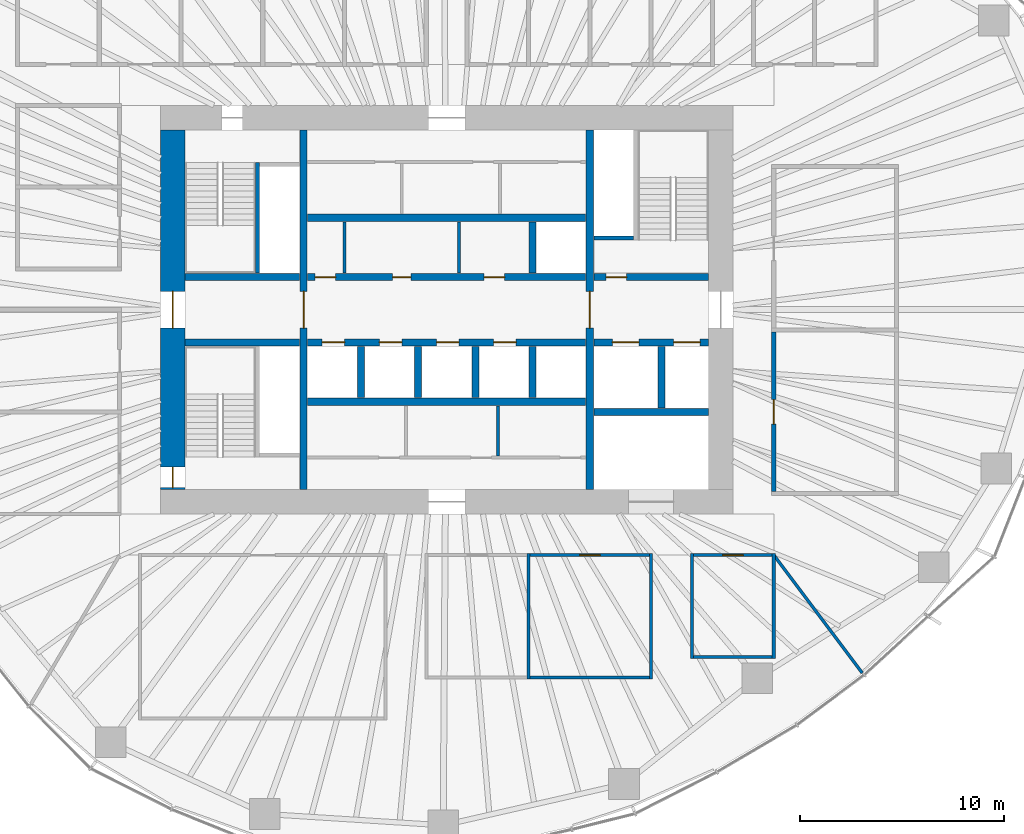
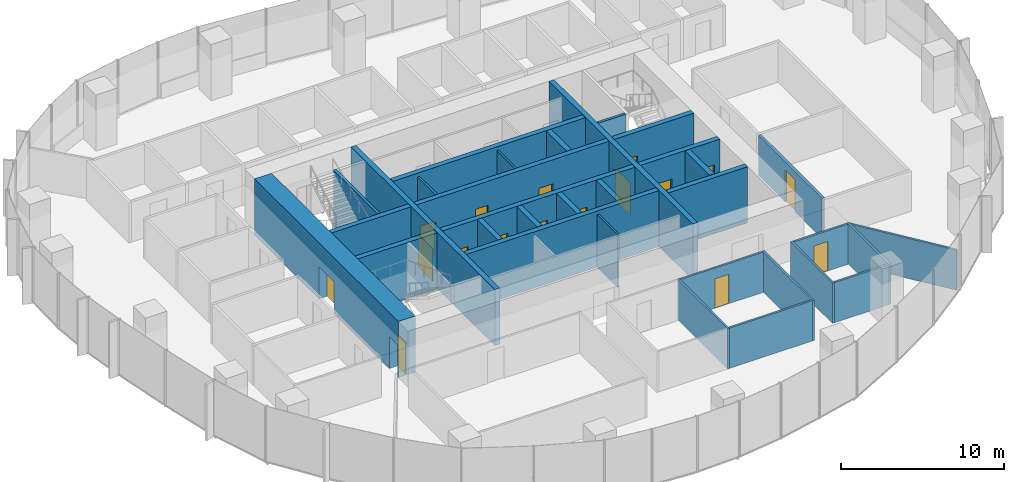
# One storey, part 9 of 18: 33 walls, 17 doors, 17 openings.
"""IFC4 building model written with IfcOpenShell, lengths in metres."""

from ifc_helpers import new_model, si_unit, direction, frame, frame_2d, origin, place, context, subcontext, project, spatial, rectangle, extrude, material, layer, layer_set, type_object, element, fill, save


model = new_model("IFC4")

# Units and contexts
model_context = context("Model", 3, precision=1e-05, world=origin(), true_north=direction((0.0, 1.0)))
body_context = subcontext(model_context, "Body", "Model", "MODEL_VIEW")
ifc_project = project(units=[si_unit("LENGTHUNIT", "METRE"), si_unit("AREAUNIT", "SQUARE_METRE"), si_unit("VOLUMEUNIT", "CUBIC_METRE"), si_unit("PLANEANGLEUNIT", "RADIAN"), si_unit("MASSUNIT", "GRAM", prefix="KILO")], contexts=[model_context])

# Site, building, storey
site_placement = place(None, origin())
site = spatial("IfcSite", under=ifc_project, at=site_placement, CompositionType="ELEMENT")
building_placement = place(site_placement, origin())
building = spatial("IfcBuilding", under=site, at=building_placement, Name="Ghaith Harvest Tower", CompositionType="ELEMENT")
storey_placement = place(building_placement, frame((0.0, 0.0, 134.39990234375)))
storey = spatial("IfcBuildingStorey", under=building, at=storey_placement, Name="L28", CompositionType="ELEMENT", Elevation=134.39990234375)

# Wall, opening, door
ifc_material_1 = material(Name="Twin-stud gypsum board, acoustic", Category="gypsum")
ifc_layer_1 = layer(ifc_material_1, 0.199951171875)
ifc_layer_set_1 = layer_set([ifc_layer_1], Name="ACOUSTIC PARTITION 200")
wall_type_1 = type_object("IfcWallType", Name="ACOUSTIC PARTITION 200", PredefinedType="PARTITIONING", material=ifc_layer_set_1)
wall_1_placement = place(storey_placement, frame((16.0, -8.89990234375, 0.0), z_axis=(0.0, 0.0, 1.0), x_axis=(0.0, 1.0, 0.0)))
wall_1 = element("IfcWall", 1, at=wall_1_placement, inside=storey, type_object=wall_type_1, Name="Partition L28-13", PredefinedType="PARTITIONING", context=body_context, shape_type="SweptSolid", body=[
    extrude(rectangle(XDim=7.7998046875, YDim=0.199951171875, at=frame_2d((3.89990234375, 0.0))), origin(), (0.0, 0.0, 1.0), 3.0),
])
opening_1_placement = place(wall_1_placement, frame((3.300048828125, 0.0, 0.0)))
opening_1 = element("IfcOpeningElement", 2, at=opening_1_placement, cuts=wall_1, Name="Opening 28-038", PredefinedType="OPENING", context=body_context, shape_type="SweptSolid", body=[
    extrude(rectangle(XDim=1.199951171875, YDim=2.39990234375, at=frame_2d((0.60009765625, 1.199951171875))), frame((0.0, 0.10986328125, 0.0), z_axis=(0.0, -1.0, 0.0), x_axis=(1.0, 0.0, 0.0)), (0.0, 0.0, 1.0), 0.219970703125),
])
ifc_material_2 = material(Name="Timber door", Category="wood")
door_type_1 = type_object("IfcDoorType", Name="D11 GLAZED 1200x2400", OperationType="SINGLE_SWING_LEFT", PredefinedType="DOOR", material=ifc_material_2)
door_1_placement = place(opening_1_placement, origin())
door_1 = element("IfcDoor", 3, at=door_1_placement, inside=storey, type_object=door_type_1, Name="Meeting room door", OperationType="SINGLE_SWING_LEFT", OverallHeight=2.39990234375, OverallWidth=1.199951171875, PredefinedType="DOOR", context=body_context, shape_type="SweptSolid", body=[
    extrude(rectangle(XDim=1.199951171875, YDim=2.39990234375, at=frame_2d((0.60009765625, 1.199951171875))), frame((0.0, 0.02490234375, 0.0), z_axis=(0.0, -1.0, 0.0), x_axis=(1.0, 0.0, 0.0)), (0.0, 0.0, 1.0), 0.050048828125),
])
fill(opening_1, door_1)

# Walls
ifc_material_3 = material(Name="Concrete blockwork, fair-faced", Category="masonry")
ifc_layer_2 = layer(ifc_material_3, 0.139892578125)
ifc_layer_set_2 = layer_set([ifc_layer_2], Name="CORE PARTITION 140")
wall_type_2 = type_object("IfcWallType", Name="CORE PARTITION 140", PredefinedType="PARTITIONING", material=ifc_layer_set_2)
wall_2_placement = place(storey_placement, frame((2.5, -4.699951171875, 0.0), z_axis=(0.0, 0.0, 1.0), x_axis=(0.0, -1.0, 0.0)))
element("IfcWall", 4, at=wall_2_placement, inside=storey, type_object=wall_type_2, Name="Core partition L28", PredefinedType="PARTITIONING", context=body_context, shape_type="SweptSolid", body=[
    extrude(rectangle(XDim=2.4599609375, YDim=0.139892578125, at=frame_2d((1.22998046875, 0.0))), origin(), (0.0, 0.0, 1.0), 3.9501953125),
])
for number, where, z_axis, x_axis, name in (
    (5, (-5.0, 1.800048828125, 0.0), (0.0, 0.0, 1.0), (0.0, 1.0, 0.0), "Core partition L28"),
    (6, (0.60009765625, 1.800048828125, 0.0), (0.0, 0.0, 1.0), (0.0, 1.0, 0.0), "Core partition L28"),
):
    element("IfcWall", number, at=place(storey_placement, frame(where, z_axis=z_axis, x_axis=x_axis)), inside=storey, type_object=wall_type_2, Name=name, PredefinedType="PARTITIONING", context=body_context, shape_type="SweptSolid", body=[
        extrude(rectangle(XDim=2.5, YDim=0.139892578125, at=frame_2d((1.25, 0.0))), origin(), (0.0, 0.0, 1.0), 3.9501953125),
    ])

# Wall, openings, doors
ifc_material_4 = material(Name="Concrete C60/75", Category="concrete")
ifc_layer_3 = layer(ifc_material_4, 1.199951171875)
ifc_layer_set_3 = layer_set([ifc_layer_3], Name="CORE WALL CW1200 C60")
wall_type_3 = type_object("IfcWallType", Name="CORE WALL CW1200 C60", PredefinedType="SHEAR", material=ifc_layer_set_3)
wall_3_placement = place(storey_placement, frame((-13.39990234375, 8.800048828125, 0.0), z_axis=(0.0, 0.0, 1.0), x_axis=(0.0, -1.0, 0.0)))
wall_3 = element("IfcWall", 7, at=wall_3_placement, inside=storey, type_object=wall_type_3, Name="Core wall W L28", PredefinedType="SHEAR", context=body_context, shape_type="SweptSolid", body=[
    extrude(rectangle(XDim=17.60009765625, YDim=1.199951171875, at=frame_2d((8.800048828125, 0.0))), origin(), (0.0, 0.0, 1.0), 4.2001953125),
])
opening_2_placement = place(wall_3_placement, frame((7.89990234375, 0.0, 0.0)))
opening_2 = element("IfcOpeningElement", 8, at=opening_2_placement, cuts=wall_3, Name="Opening 28-001", PredefinedType="OPENING", context=body_context, shape_type="SweptSolid", body=[
    extrude(rectangle(XDim=1.800048828125, YDim=2.39990234375, at=frame_2d((0.89990234375, 1.199951171875))), frame((0.0, 0.60986328125, 0.0), z_axis=(0.0, -1.0, 0.0), x_axis=(1.0, 0.0, 0.0)), (0.0, 0.0, 1.0), 1.219970703125),
])
opening_3_placement = place(wall_3_placement, frame((16.5, 0.0, 0.0)))
opening_3 = element("IfcOpeningElement", 9, at=opening_3_placement, cuts=wall_3, Name="Opening 28-006", PredefinedType="OPENING", context=body_context, shape_type="SweptSolid", body=[
    extrude(rectangle(XDim=1.0, YDim=2.39990234375, at=frame_2d((0.5, 1.199951171875))), frame((0.0, 0.60986328125, 0.0), z_axis=(0.0, -1.0, 0.0), x_axis=(1.0, 0.0, 0.0)), (0.0, 0.0, 1.0), 1.219970703125),
])
ifc_material_5 = material(Name="Steel fire door", Category="steel")
door_type_2 = type_object("IfcDoorType", Name="D3 FD90 1000x2400", OperationType="SINGLE_SWING_LEFT", PredefinedType="DOOR", material=ifc_material_5)
door_2_placement = place(opening_3_placement, origin())
door_2 = element("IfcDoor", 10, at=door_2_placement, inside=storey, type_object=door_type_2, Name="Stair ST3 door", OperationType="SINGLE_SWING_RIGHT", OverallHeight=2.39990234375, OverallWidth=1.0, PredefinedType="DOOR", context=body_context, shape_type="SweptSolid", body=[
    extrude(rectangle(XDim=1.0, YDim=2.39990234375, at=frame_2d((0.5, 1.199951171875))), frame((0.0, 0.02490234375, 0.0), z_axis=(0.0, -1.0, 0.0), x_axis=(1.0, 0.0, 0.0)), (0.0, 0.0, 1.0), 0.050048828125),
])
fill(opening_3, door_2)
ifc_material_6 = material(Name="Steel fire door", Category="steel")
door_type_3 = type_object("IfcDoorType", Name="D4 FD90 PAIR 1800x2400", OperationType="DOUBLE_DOOR_SINGLE_SWING", PredefinedType="DOOR", material=ifc_material_6)
door_3_placement = place(opening_2_placement, origin())
door_3 = element("IfcDoor", 11, at=door_3_placement, inside=storey, type_object=door_type_3, Name="West lobby doors", OperationType="DOUBLE_DOOR_SINGLE_SWING", OverallHeight=2.39990234375, OverallWidth=1.800048828125, PredefinedType="DOOR", context=body_context, shape_type="SweptSolid", body=[
    extrude(rectangle(XDim=1.800048828125, YDim=2.39990234375, at=frame_2d((0.89990234375, 1.199951171875))), frame((0.0, 0.02490234375, 0.0), z_axis=(0.0, -1.0, 0.0), x_axis=(1.0, 0.0, 0.0)), (0.0, 0.0, 1.0), 0.050048828125),
])
fill(opening_2, door_3)

# Walls
ifc_material_7 = material(Name="Gypsum board on steel studs", Category="steel")
ifc_layer_4 = layer(ifc_material_7, 0.14990234375)
ifc_layer_set_4 = layer_set([ifc_layer_4], Name="PARTITION 150")
wall_type_4 = type_object("IfcWallType", Name="PARTITION 150", PredefinedType="PARTITIONING", material=ifc_layer_set_4)
for number, where, z_axis, x_axis, name in (
    (12, (4.0, -11.925048828125, 0.0), (0.0, 0.0, 1.0), (0.0, -1.0, 0.0), "Partition L28 row S2 cross wall 2"),
    (13, (10.0, -11.925048828125, 0.0), (0.0, 0.0, 1.0), (0.0, -1.0, 0.0), "Partition L28 row S2 cross wall 3"),
):
    element("IfcWall", number, at=place(storey_placement, frame(where, z_axis=z_axis, x_axis=x_axis)), inside=storey, type_object=wall_type_4, Name=name, PredefinedType="PARTITIONING", context=body_context, shape_type="SweptSolid", body=[
        extrude(rectangle(XDim=6.14990234375, YDim=0.14990234375, at=frame_2d((3.074951171875, 0.0))), origin(), (0.0, 0.0, 1.0), 3.0),
    ])

# Wall, opening, door
wall_4_placement = place(storey_placement, frame((4.074951171875, -12.0, 0.0), z_axis=(0.0, 0.0, 1.0), x_axis=(1.0, 0.0, 0.0)))
wall_4 = element("IfcWall", 14, at=wall_4_placement, inside=storey, type_object=wall_type_4, Name="Partition L28-03", PredefinedType="PARTITIONING", context=body_context, shape_type="SweptSolid", body=[
    extrude(rectangle(XDim=5.85009765625, YDim=0.14990234375, at=frame_2d((2.925048828125, 0.0))), origin(), (0.0, 0.0, 1.0), 3.0),
])
opening_4_placement = place(wall_4_placement, frame((2.425048828125, 0.0, 0.0)))
opening_4 = element("IfcOpeningElement", 15, at=opening_4_placement, cuts=wall_4, Name="Opening 28-028", PredefinedType="OPENING", context=body_context, shape_type="SweptSolid", body=[
    extrude(rectangle(XDim=1.0, YDim=2.199951171875, at=frame_2d((0.5, 1.10009765625))), frame((0.0, 0.0849609375, 0.0), z_axis=(0.0, -1.0, 0.0), x_axis=(1.0, 0.0, 0.0)), (0.0, 0.0, 1.0), 0.169921875),
])
ifc_material_8 = material(Name="Timber door", Category="wood")
door_type_4 = type_object("IfcDoorType", Name="D1 SINGLE 1000x2200", OperationType="SINGLE_SWING_LEFT", PredefinedType="DOOR", material=ifc_material_8)
door_4_placement = place(opening_4_placement, origin())
door_4 = element("IfcDoor", 16, at=door_4_placement, inside=storey, type_object=door_type_4, Name="Pantry door", OperationType="SINGLE_SWING_LEFT", OverallHeight=2.199951171875, OverallWidth=1.0, PredefinedType="DOOR", context=body_context, shape_type="SweptSolid", body=[
    extrude(rectangle(XDim=1.0, YDim=2.199951171875, at=frame_2d((0.5, 1.10009765625))), frame((0.0, 0.02490234375, 0.0), z_axis=(0.0, -1.0, 0.0), x_axis=(1.0, 0.0, 0.0)), (0.0, 0.0, 1.0), 0.050048828125),
])
fill(opening_4, door_4)

# Walls
wall_5_placement = place(storey_placement, frame((4.074951171875, -18.0, 0.0), z_axis=(0.0, 0.0, 1.0), x_axis=(1.0, 0.0, 0.0)))
element("IfcWall", 17, at=wall_5_placement, inside=storey, type_object=wall_type_4, Name="Partition L28-03", PredefinedType="PARTITIONING", context=body_context, shape_type="SweptSolid", body=[
    extrude(rectangle(XDim=5.85009765625, YDim=0.14990234375, at=frame_2d((2.925048828125, 0.0))), origin(), (0.0, 0.0, 1.0), 3.0),
])
for number, where, z_axis, x_axis, name in (
    (18, (12.0, -11.925048828125, 0.0), (0.0, 0.0, 1.0), (0.0, -1.0, 0.0), "Partition L28 row S8 cross wall 1"),
    (19, (16.0, -11.925048828125, 0.0), (0.0, 0.0, 1.0), (0.0, -1.0, 0.0), "Partition L28 row S8 cross wall 2"),
):
    element("IfcWall", number, at=place(storey_placement, frame(where, z_axis=z_axis, x_axis=x_axis)), inside=storey, type_object=wall_type_4, Name=name, PredefinedType="PARTITIONING", context=body_context, shape_type="SweptSolid", body=[
        extrude(rectangle(XDim=5.14990234375, YDim=0.14990234375, at=frame_2d((2.574951171875, 0.0))), origin(), (0.0, 0.0, 1.0), 3.0),
    ])

# Wall, opening, door
wall_6_placement = place(storey_placement, frame((12.074951171875, -12.0, 0.0), z_axis=(0.0, 0.0, 1.0), x_axis=(1.0, 0.0, 0.0)))
wall_6 = element("IfcWall", 20, at=wall_6_placement, inside=storey, type_object=wall_type_4, Name="Partition L28-19", PredefinedType="PARTITIONING", context=body_context, shape_type="SweptSolid", body=[
    extrude(rectangle(XDim=3.85009765625, YDim=0.14990234375, at=frame_2d((1.925048828125, 0.0))), origin(), (0.0, 0.0, 1.0), 3.0),
])
opening_5_placement = place(wall_6_placement, frame((1.425048828125, 0.0, 0.0)))
opening_5 = element("IfcOpeningElement", 21, at=opening_5_placement, cuts=wall_6, Name="Opening 28-044", PredefinedType="OPENING", context=body_context, shape_type="SweptSolid", body=[
    extrude(rectangle(XDim=1.0, YDim=2.199951171875, at=frame_2d((0.5, 1.10009765625))), frame((0.0, 0.0849609375, 0.0), z_axis=(0.0, -1.0, 0.0), x_axis=(1.0, 0.0, 0.0)), (0.0, 0.0, 1.0), 0.169921875),
])
door_5_placement = place(opening_5_placement, origin())
door_5 = element("IfcDoor", 22, at=door_5_placement, inside=storey, type_object=door_type_4, Name="Store door", OperationType="SINGLE_SWING_LEFT", OverallHeight=2.199951171875, OverallWidth=1.0, PredefinedType="DOOR", context=body_context, shape_type="SweptSolid", body=[
    extrude(rectangle(XDim=1.0, YDim=2.199951171875, at=frame_2d((0.5, 1.10009765625))), frame((0.0, 0.02490234375, 0.0), z_axis=(0.0, -1.0, 0.0), x_axis=(1.0, 0.0, 0.0)), (0.0, 0.0, 1.0), 0.050048828125),
])
fill(opening_5, door_5)

# Walls
wall_7_placement = place(storey_placement, frame((12.074951171875, -17.0, 0.0), z_axis=(0.0, 0.0, 1.0), x_axis=(1.0, 0.0, 0.0)))
element("IfcWall", 23, at=wall_7_placement, inside=storey, type_object=wall_type_4, Name="Partition L28-19", PredefinedType="PARTITIONING", context=body_context, shape_type="SweptSolid", body=[
    extrude(rectangle(XDim=3.85009765625, YDim=0.14990234375, at=frame_2d((1.925048828125, 0.0))), origin(), (0.0, 0.0, 1.0), 3.0),
])
wall_8_placement = place(storey_placement, frame((16.02001953125, -12.026611328125, 0.0), z_axis=(0.0, 0.0, 1.0), x_axis=(0.600043534749, -0.799967347087, 0.0)))
element("IfcWall", 24, at=wall_8_placement, inside=storey, type_object=wall_type_4, Name="Partition L28 zone division", PredefinedType="PARTITIONING", context=body_context, shape_type="SweptSolid", body=[
    extrude(rectangle(XDim=7.177978515625, YDim=0.14990234375, at=frame_2d((3.5888671875, 0.0))), origin(), (0.0, 0.0, 1.0), 3.0),
])

# Wall, opening, door
ifc_material_9 = material(Name="Concrete C60/75", Category="concrete")
ifc_layer_5 = layer(ifc_material_9, 0.35009765625)
ifc_layer_set_5 = layer_set([ifc_layer_5], Name="SHAFT WALL 350")
wall_type_5 = type_object("IfcWallType", Name="SHAFT WALL 350", PredefinedType="SHEAR", material=ifc_layer_set_5)
wall_9_placement = place(storey_placement, frame((-7.0, -8.800048828125, 0.0), z_axis=(0.0, 0.0, 1.0), x_axis=(0.0, 1.0, 0.0)))
wall_9 = element("IfcWall", 25, at=wall_9_placement, inside=storey, type_object=wall_type_5, Name="Shaft wall W7W L28", PredefinedType="SHEAR", context=body_context, shape_type="SweptSolid", body=[
    extrude(rectangle(XDim=17.60009765625, YDim=0.35009765625, at=frame_2d((8.800048828125, 0.0))), origin(), (0.0, 0.0, 1.0), 4.2001953125),
])
opening_6_placement = place(wall_9_placement, frame((7.89990234375, 0.0, 0.0)))
opening_6 = element("IfcOpeningElement", 26, at=opening_6_placement, cuts=wall_9, Name="Opening 28-003", PredefinedType="OPENING", context=body_context, shape_type="SweptSolid", body=[
    extrude(rectangle(XDim=1.800048828125, YDim=2.39990234375, at=frame_2d((0.89990234375, 1.199951171875))), frame((0.0, 0.18505859375, 0.0), z_axis=(0.0, -1.0, 0.0), x_axis=(1.0, 0.0, 0.0)), (0.0, 0.0, 1.0), 0.3701171875),
])
door_6_placement = place(opening_6_placement, origin())
door_6 = element("IfcDoor", 27, at=door_6_placement, inside=storey, type_object=door_type_3, Name="Lift lobby doors, west", OperationType="DOUBLE_DOOR_SINGLE_SWING", OverallHeight=2.39990234375, OverallWidth=1.800048828125, PredefinedType="DOOR", context=body_context, shape_type="SweptSolid", body=[
    extrude(rectangle(XDim=1.800048828125, YDim=2.39990234375, at=frame_2d((0.89990234375, 1.199951171875))), frame((0.0, 0.02490234375, 0.0), z_axis=(0.0, -1.0, 0.0), x_axis=(1.0, 0.0, 0.0)), (0.0, 0.0, 1.0), 0.050048828125),
])
fill(opening_6, door_6)

wall_10_placement = place(storey_placement, frame((7.0, -8.800048828125, 0.0), z_axis=(0.0, 0.0, 1.0), x_axis=(0.0, 1.0, 0.0)))
wall_10 = element("IfcWall", 28, at=wall_10_placement, inside=storey, type_object=wall_type_5, Name="Shaft wall W7E L28", PredefinedType="SHEAR", context=body_context, shape_type="SweptSolid", body=[
    extrude(rectangle(XDim=17.60009765625, YDim=0.35009765625, at=frame_2d((8.800048828125, 0.0))), origin(), (0.0, 0.0, 1.0), 4.2001953125),
])
opening_7_placement = place(wall_10_placement, frame((7.89990234375, 0.0, 0.0)))
opening_7 = element("IfcOpeningElement", 29, at=opening_7_placement, cuts=wall_10, Name="Opening 28-004", PredefinedType="OPENING", context=body_context, shape_type="SweptSolid", body=[
    extrude(rectangle(XDim=1.800048828125, YDim=2.39990234375, at=frame_2d((0.89990234375, 1.199951171875))), frame((0.0, 0.18505859375, 0.0), z_axis=(0.0, -1.0, 0.0), x_axis=(1.0, 0.0, 0.0)), (0.0, 0.0, 1.0), 0.3701171875),
])
door_7_placement = place(opening_7_placement, origin())
door_7 = element("IfcDoor", 30, at=door_7_placement, inside=storey, type_object=door_type_3, Name="Lift lobby doors, east", OperationType="DOUBLE_DOOR_SINGLE_SWING", OverallHeight=2.39990234375, OverallWidth=1.800048828125, PredefinedType="DOOR", context=body_context, shape_type="SweptSolid", body=[
    extrude(rectangle(XDim=1.800048828125, YDim=2.39990234375, at=frame_2d((0.89990234375, 1.199951171875))), frame((0.0, 0.02490234375, 0.0), z_axis=(0.0, -1.0, 0.0), x_axis=(1.0, 0.0, 0.0)), (0.0, 0.0, 1.0), 0.050048828125),
])
fill(opening_7, door_7)

# Wall, openings, doors
wall_11_placement = place(storey_placement, frame((-6.800048828125, 1.60009765625, 0.0), z_axis=(0.0, 0.0, 1.0), x_axis=(1.0, 0.0, 0.0)))
wall_11 = element("IfcWall", 31, at=wall_11_placement, inside=storey, type_object=wall_type_5, Name="Shaft wall LN L28", PredefinedType="SHEAR", context=body_context, shape_type="SweptSolid", body=[
    extrude(rectangle(XDim=13.60009765625, YDim=0.35009765625, at=frame_2d((6.800048828125, 0.0))), origin(), (0.0, 0.0, 1.0), 4.2001953125),
])
opening_8_placement = place(wall_11_placement, frame((0.364990234375, 0.0, 0.0)))
opening_8 = element("IfcOpeningElement", 32, at=opening_8_placement, cuts=wall_11, Name="Opening 28-014", PredefinedType="OPENING", context=body_context, shape_type="SweptSolid", body=[
    extrude(rectangle(XDim=1.0, YDim=2.39990234375, at=frame_2d((0.5, 1.199951171875))), frame((0.0, 0.18505859375, 0.0), z_axis=(0.0, -1.0, 0.0), x_axis=(1.0, 0.0, 0.0)), (0.0, 0.0, 1.0), 0.3701171875),
])
opening_9_placement = place(wall_11_placement, frame((4.14990234375, 0.0, 0.0)))
opening_9 = element("IfcOpeningElement", 33, at=opening_9_placement, cuts=wall_11, Name="Opening 28-015", PredefinedType="OPENING", context=body_context, shape_type="SweptSolid", body=[
    extrude(rectangle(XDim=0.89990234375, YDim=2.39990234375, at=frame_2d((0.449951171875, 1.199951171875))), frame((0.0, 0.18505859375, 0.0), z_axis=(0.0, -1.0, 0.0), x_axis=(1.0, 0.0, 0.0)), (0.0, 0.0, 1.0), 0.3701171875),
])
opening_10_placement = place(wall_11_placement, frame((8.635009765625, 0.0, 0.0)))
opening_10 = element("IfcOpeningElement", 34, at=opening_10_placement, cuts=wall_11, Name="Opening 28-016", PredefinedType="OPENING", context=body_context, shape_type="SweptSolid", body=[
    extrude(rectangle(XDim=1.0, YDim=2.39990234375, at=frame_2d((0.5, 1.199951171875))), frame((0.0, 0.18505859375, 0.0), z_axis=(0.0, -1.0, 0.0), x_axis=(1.0, 0.0, 0.0)), (0.0, 0.0, 1.0), 0.3701171875),
])
door_8_placement = place(opening_8_placement, origin())
door_8 = element("IfcDoor", 35, at=door_8_placement, inside=storey, type_object=door_type_2, Name="Tea point door", OperationType="SINGLE_SWING_LEFT", OverallHeight=2.39990234375, OverallWidth=1.0, PredefinedType="DOOR", context=body_context, shape_type="SweptSolid", body=[
    extrude(rectangle(XDim=1.0, YDim=2.39990234375, at=frame_2d((0.5, 1.199951171875))), frame((0.0, 0.02490234375, 0.0), z_axis=(0.0, -1.0, 0.0), x_axis=(1.0, 0.0, 0.0)), (0.0, 0.0, 1.0), 0.050048828125),
])
fill(opening_8, door_8)
door_9_placement = place(opening_10_placement, origin())
door_9 = element("IfcDoor", 36, at=door_9_placement, inside=storey, type_object=door_type_2, Name="IT equipment room door", OperationType="SINGLE_SWING_RIGHT", OverallHeight=2.39990234375, OverallWidth=1.0, PredefinedType="DOOR", context=body_context, shape_type="SweptSolid", body=[
    extrude(rectangle(XDim=1.0, YDim=2.39990234375, at=frame_2d((0.5, 1.199951171875))), frame((0.0, 0.02490234375, 0.0), z_axis=(0.0, -1.0, 0.0), x_axis=(1.0, 0.0, 0.0)), (0.0, 0.0, 1.0), 0.050048828125),
])
fill(opening_10, door_9)
ifc_material_10 = material(Name="Steel fire door", Category="steel")
door_type_5 = type_object("IfcDoorType", Name="D5 FD90 900x2400", OperationType="SINGLE_SWING_LEFT", PredefinedType="DOOR", material=ifc_material_10)
door_10_placement = place(opening_9_placement, origin())
door_10 = element("IfcDoor", 37, at=door_10_placement, inside=storey, type_object=door_type_5, Name="Lobby store door", OperationType="SINGLE_SWING_LEFT", OverallHeight=2.39990234375, OverallWidth=0.89990234375, PredefinedType="DOOR", context=body_context, shape_type="SweptSolid", body=[
    extrude(rectangle(XDim=0.89990234375, YDim=2.39990234375, at=frame_2d((0.449951171875, 1.199951171875))), frame((0.0, 0.02490234375, 0.0), z_axis=(0.0, -1.0, 0.0), x_axis=(1.0, 0.0, 0.0)), (0.0, 0.0, 1.0), 0.050048828125),
])
fill(opening_9, door_10)

wall_12_placement = place(storey_placement, frame((-6.800048828125, -1.60009765625, 0.0), z_axis=(0.0, 0.0, 1.0), x_axis=(1.0, 0.0, 0.0)))
wall_12 = element("IfcWall", 38, at=wall_12_placement, inside=storey, type_object=wall_type_5, Name="Shaft wall LS L28", PredefinedType="SHEAR", context=body_context, shape_type="SweptSolid", body=[
    extrude(rectangle(XDim=13.60009765625, YDim=0.35009765625, at=frame_2d((6.800048828125, 0.0))), origin(), (0.0, 0.0, 1.0), 4.2001953125),
])
opening_11_placement = place(wall_12_placement, frame((0.699951171875, 0.0, 0.0)))
opening_11 = element("IfcOpeningElement", 39, at=opening_11_placement, cuts=wall_12, Name="Opening 28-019", PredefinedType="OPENING", context=body_context, shape_type="SweptSolid", body=[
    extrude(rectangle(XDim=1.10009765625, YDim=2.39990234375, at=frame_2d((0.550048828125, 1.199951171875))), frame((0.0, 0.18505859375, 0.0), z_axis=(0.0, -1.0, 0.0), x_axis=(1.0, 0.0, 0.0)), (0.0, 0.0, 1.0), 0.3701171875),
])
opening_12_placement = place(wall_12_placement, frame((3.5, 0.0, 0.0)))
opening_12 = element("IfcOpeningElement", 40, at=opening_12_placement, cuts=wall_12, Name="Opening 28-020", PredefinedType="OPENING", context=body_context, shape_type="SweptSolid", body=[
    extrude(rectangle(XDim=1.10009765625, YDim=2.39990234375, at=frame_2d((0.550048828125, 1.199951171875))), frame((0.0, 0.18505859375, 0.0), z_axis=(0.0, -1.0, 0.0), x_axis=(1.0, 0.0, 0.0)), (0.0, 0.0, 1.0), 0.3701171875),
])
opening_13_placement = place(wall_12_placement, frame((6.300048828125, 0.0, 0.0)))
opening_13 = element("IfcOpeningElement", 41, at=opening_13_placement, cuts=wall_12, Name="Opening 28-021", PredefinedType="OPENING", context=body_context, shape_type="SweptSolid", body=[
    extrude(rectangle(XDim=1.10009765625, YDim=2.39990234375, at=frame_2d((0.550048828125, 1.199951171875))), frame((0.0, 0.18505859375, 0.0), z_axis=(0.0, -1.0, 0.0), x_axis=(1.0, 0.0, 0.0)), (0.0, 0.0, 1.0), 0.3701171875),
])
opening_14_placement = place(wall_12_placement, frame((9.10009765625, 0.0, 0.0)))
opening_14 = element("IfcOpeningElement", 42, at=opening_14_placement, cuts=wall_12, Name="Opening 28-022", PredefinedType="OPENING", context=body_context, shape_type="SweptSolid", body=[
    extrude(rectangle(XDim=1.10009765625, YDim=2.39990234375, at=frame_2d((0.550048828125, 1.199951171875))), frame((0.0, 0.18505859375, 0.0), z_axis=(0.0, -1.0, 0.0), x_axis=(1.0, 0.0, 0.0)), (0.0, 0.0, 1.0), 0.3701171875),
])
ifc_material_11 = material(Name="Steel fire door", Category="steel")
door_type_6 = type_object("IfcDoorType", Name="LD1 LANDING 1100x2400", OperationType="DOUBLE_DOOR_SLIDING", PredefinedType="DOOR", material=ifc_material_11)
door_11_placement = place(opening_11_placement, origin())
door_11 = element("IfcDoor", 43, at=door_11_placement, inside=storey, type_object=door_type_6, Name="Landing door, lift LR1", OperationType="DOUBLE_DOOR_SLIDING", OverallHeight=2.39990234375, OverallWidth=1.10009765625, PredefinedType="DOOR", context=body_context, shape_type="SweptSolid", body=[
    extrude(rectangle(XDim=1.10009765625, YDim=2.39990234375, at=frame_2d((0.550048828125, 1.199951171875))), frame((0.0, 0.02490234375, 0.0), z_axis=(0.0, -1.0, 0.0), x_axis=(1.0, 0.0, 0.0)), (0.0, 0.0, 1.0), 0.050048828125),
])
fill(opening_11, door_11)
door_12_placement = place(opening_12_placement, origin())
door_12 = element("IfcDoor", 44, at=door_12_placement, inside=storey, type_object=door_type_6, Name="Landing door, lift LR2", OperationType="DOUBLE_DOOR_SLIDING", OverallHeight=2.39990234375, OverallWidth=1.10009765625, PredefinedType="DOOR", context=body_context, shape_type="SweptSolid", body=[
    extrude(rectangle(XDim=1.10009765625, YDim=2.39990234375, at=frame_2d((0.550048828125, 1.199951171875))), frame((0.0, 0.02490234375, 0.0), z_axis=(0.0, -1.0, 0.0), x_axis=(1.0, 0.0, 0.0)), (0.0, 0.0, 1.0), 0.050048828125),
])
fill(opening_12, door_12)
door_13_placement = place(opening_13_placement, origin())
door_13 = element("IfcDoor", 45, at=door_13_placement, inside=storey, type_object=door_type_6, Name="Landing door, lift LR3", OperationType="DOUBLE_DOOR_SLIDING", OverallHeight=2.39990234375, OverallWidth=1.10009765625, PredefinedType="DOOR", context=body_context, shape_type="SweptSolid", body=[
    extrude(rectangle(XDim=1.10009765625, YDim=2.39990234375, at=frame_2d((0.550048828125, 1.199951171875))), frame((0.0, 0.02490234375, 0.0), z_axis=(0.0, -1.0, 0.0), x_axis=(1.0, 0.0, 0.0)), (0.0, 0.0, 1.0), 0.050048828125),
])
fill(opening_13, door_13)
door_14_placement = place(opening_14_placement, origin())
door_14 = element("IfcDoor", 46, at=door_14_placement, inside=storey, type_object=door_type_6, Name="Landing door, lift LR4", OperationType="DOUBLE_DOOR_SLIDING", OverallHeight=2.39990234375, OverallWidth=1.10009765625, PredefinedType="DOOR", context=body_context, shape_type="SweptSolid", body=[
    extrude(rectangle(XDim=1.10009765625, YDim=2.39990234375, at=frame_2d((0.550048828125, 1.199951171875))), frame((0.0, 0.02490234375, 0.0), z_axis=(0.0, -1.0, 0.0), x_axis=(1.0, 0.0, 0.0)), (0.0, 0.0, 1.0), 0.050048828125),
])
fill(opening_14, door_14)

# Walls
for number, where, z_axis, x_axis, name in (
    (47, (-6.800048828125, 4.5, 0.0), (0.0, 0.0, 1.0), (1.0, 0.0, 0.0), "Shaft wall BN L28"),
    (48, (-6.800048828125, -4.5, 0.0), (0.0, 0.0, 1.0), (1.0, 0.0, 0.0), "Shaft wall BS L28"),
):
    element("IfcWall", number, at=place(storey_placement, frame(where, z_axis=z_axis, x_axis=x_axis)), inside=storey, type_object=wall_type_5, Name=name, PredefinedType="SHEAR", context=body_context, shape_type="SweptSolid", body=[
        extrude(rectangle(XDim=13.60009765625, YDim=0.35009765625, at=frame_2d((6.800048828125, 0.0))), origin(), (0.0, 0.0, 1.0), 4.2001953125),
    ])
for number, where, z_axis, x_axis, name in (
    (49, (-12.800048828125, 1.60009765625, 0.0), (0.0, 0.0, 1.0), (1.0, 0.0, 0.0), "Shaft wall WN L28"),
    (50, (-12.800048828125, -1.60009765625, 0.0), (0.0, 0.0, 1.0), (1.0, 0.0, 0.0), "Shaft wall WS L28"),
):
    element("IfcWall", number, at=place(storey_placement, frame(where, z_axis=z_axis, x_axis=x_axis)), inside=storey, type_object=wall_type_5, Name=name, PredefinedType="SHEAR", context=body_context, shape_type="SweptSolid", body=[
        extrude(rectangle(XDim=5.60009765625, YDim=0.35009765625, at=frame_2d((2.800048828125, 0.0))), origin(), (0.0, 0.0, 1.0), 4.2001953125),
    ])

# Wall, opening, door
wall_13_placement = place(storey_placement, frame((7.199951171875, 1.60009765625, 0.0), z_axis=(0.0, 0.0, 1.0), x_axis=(1.0, 0.0, 0.0)))
wall_13 = element("IfcWall", 51, at=wall_13_placement, inside=storey, type_object=wall_type_5, Name="Shaft wall EN L28", PredefinedType="SHEAR", context=body_context, shape_type="SweptSolid", body=[
    extrude(rectangle(XDim=5.60009765625, YDim=0.35009765625, at=frame_2d((2.800048828125, 0.0))), origin(), (0.0, 0.0, 1.0), 4.2001953125),
])
opening_15_placement = place(wall_13_placement, frame((0.60009765625, 0.0, 0.0)))
opening_15 = element("IfcOpeningElement", 52, at=opening_15_placement, cuts=wall_13, Name="Opening 28-007", PredefinedType="OPENING", context=body_context, shape_type="SweptSolid", body=[
    extrude(rectangle(XDim=1.0, YDim=2.39990234375, at=frame_2d((0.5, 1.199951171875))), frame((0.0, 0.18505859375, 0.0), z_axis=(0.0, -1.0, 0.0), x_axis=(1.0, 0.0, 0.0)), (0.0, 0.0, 1.0), 0.3701171875),
])
door_15_placement = place(opening_15_placement, origin())
door_15 = element("IfcDoor", 53, at=door_15_placement, inside=storey, type_object=door_type_2, Name="Stair ST2 door", OperationType="SINGLE_SWING_LEFT", OverallHeight=2.39990234375, OverallWidth=1.0, PredefinedType="DOOR", context=body_context, shape_type="SweptSolid", body=[
    extrude(rectangle(XDim=1.0, YDim=2.39990234375, at=frame_2d((0.5, 1.199951171875))), frame((0.0, 0.02490234375, 0.0), z_axis=(0.0, -1.0, 0.0), x_axis=(1.0, 0.0, 0.0)), (0.0, 0.0, 1.0), 0.050048828125),
])
fill(opening_15, door_15)

# Wall, openings, doors
wall_14_placement = place(storey_placement, frame((7.199951171875, -1.60009765625, 0.0), z_axis=(0.0, 0.0, 1.0), x_axis=(1.0, 0.0, 0.0)))
wall_14 = element("IfcWall", 54, at=wall_14_placement, inside=storey, type_object=wall_type_5, Name="Shaft wall ES L28", PredefinedType="SHEAR", context=body_context, shape_type="SweptSolid", body=[
    extrude(rectangle(XDim=5.60009765625, YDim=0.35009765625, at=frame_2d((2.800048828125, 0.0))), origin(), (0.0, 0.0, 1.0), 4.2001953125),
])
opening_16_placement = place(wall_14_placement, frame((0.89990234375, 0.0, 0.0)))
opening_16 = element("IfcOpeningElement", 55, at=opening_16_placement, cuts=wall_14, Name="Opening 28-023", PredefinedType="OPENING", context=body_context, shape_type="SweptSolid", body=[
    extrude(rectangle(XDim=1.300048828125, YDim=2.39990234375, at=frame_2d((0.64990234375, 1.199951171875))), frame((0.0, 0.18505859375, 0.0), z_axis=(0.0, -1.0, 0.0), x_axis=(1.0, 0.0, 0.0)), (0.0, 0.0, 1.0), 0.3701171875),
])
opening_17_placement = place(wall_14_placement, frame((3.89990234375, 0.0, 0.0)))
opening_17 = element("IfcOpeningElement", 56, at=opening_17_placement, cuts=wall_14, Name="Opening 28-024", PredefinedType="OPENING", context=body_context, shape_type="SweptSolid", body=[
    extrude(rectangle(XDim=1.300048828125, YDim=2.39990234375, at=frame_2d((0.64990234375, 1.199951171875))), frame((0.0, 0.18505859375, 0.0), z_axis=(0.0, -1.0, 0.0), x_axis=(1.0, 0.0, 0.0)), (0.0, 0.0, 1.0), 0.3701171875),
])
ifc_material_12 = material(Name="Steel fire door", Category="steel")
door_type_7 = type_object("IfcDoorType", Name="LD2 LANDING 1300x2400", OperationType="DOUBLE_DOOR_SLIDING", PredefinedType="DOOR", material=ifc_material_12)
door_16_placement = place(opening_16_placement, origin())
door_16 = element("IfcDoor", 57, at=door_16_placement, inside=storey, type_object=door_type_7, Name="Landing door, fire service lift FL1", OperationType="DOUBLE_DOOR_SLIDING", OverallHeight=2.39990234375, OverallWidth=1.300048828125, PredefinedType="DOOR", context=body_context, shape_type="SweptSolid", body=[
    extrude(rectangle(XDim=1.300048828125, YDim=2.39990234375, at=frame_2d((0.64990234375, 1.199951171875))), frame((0.0, 0.02490234375, 0.0), z_axis=(0.0, -1.0, 0.0), x_axis=(1.0, 0.0, 0.0)), (0.0, 0.0, 1.0), 0.050048828125),
])
fill(opening_16, door_16)
door_17_placement = place(opening_17_placement, origin())
door_17 = element("IfcDoor", 58, at=door_17_placement, inside=storey, type_object=door_type_7, Name="Landing door, fire service lift FL2", OperationType="DOUBLE_DOOR_SLIDING", OverallHeight=2.39990234375, OverallWidth=1.300048828125, PredefinedType="DOOR", context=body_context, shape_type="SweptSolid", body=[
    extrude(rectangle(XDim=1.300048828125, YDim=2.39990234375, at=frame_2d((0.64990234375, 1.199951171875))), frame((0.0, 0.02490234375, 0.0), z_axis=(0.0, -1.0, 0.0), x_axis=(1.0, 0.0, 0.0)), (0.0, 0.0, 1.0), 0.050048828125),
])
fill(opening_17, door_17)

# Walls
wall_15_placement = place(storey_placement, frame((10.5, -4.800048828125, 0.0), z_axis=(0.0, 0.0, 1.0), x_axis=(0.0, 1.0, 0.0)))
element("IfcWall", 59, at=wall_15_placement, inside=storey, type_object=wall_type_5, Name="Shaft wall FLD L28", PredefinedType="SHEAR", context=body_context, shape_type="SweptSolid", body=[
    extrude(rectangle(XDim=3.0, YDim=0.35009765625, at=frame_2d((1.5, 0.0))), origin(), (0.0, 0.0, 1.0), 4.2001953125),
])
wall_16_placement = place(storey_placement, frame((7.199951171875, -5.0, 0.0), z_axis=(0.0, 0.0, 1.0), x_axis=(1.0, 0.0, 0.0)))
element("IfcWall", 60, at=wall_16_placement, inside=storey, type_object=wall_type_5, Name="Shaft wall FLB L28", PredefinedType="SHEAR", context=body_context, shape_type="SweptSolid", body=[
    extrude(rectangle(XDim=5.60009765625, YDim=0.35009765625, at=frame_2d((2.800048828125, 0.0))), origin(), (0.0, 0.0, 1.0), 4.2001953125),
])
for number, where, z_axis, x_axis, name in (
    (61, (-4.199951171875, -4.300048828125, 0.0), (0.0, 0.0, 1.0), (0.0, 1.0, 0.0), "Shaft wall DS1 L28"),
    (62, (-1.39990234375, -4.300048828125, 0.0), (0.0, 0.0, 1.0), (0.0, 1.0, 0.0), "Shaft wall DS2 L28"),
    (63, (1.39990234375, -4.300048828125, 0.0), (0.0, 0.0, 1.0), (0.0, 1.0, 0.0), "Shaft wall DS3 L28"),
    (64, (4.199951171875, 1.800048828125, 0.0), (0.0, 0.0, 1.0), (0.0, 1.0, 0.0), "Shaft wall DN4 L28"),
    (65, (4.199951171875, -4.300048828125, 0.0), (0.0, 0.0, 1.0), (0.0, 1.0, 0.0), "Shaft wall DS4 L28"),
):
    element("IfcWall", number, at=place(storey_placement, frame(where, z_axis=z_axis, x_axis=x_axis)), inside=storey, type_object=wall_type_5, Name=name, PredefinedType="SHEAR", context=body_context, shape_type="SweptSolid", body=[
        extrude(rectangle(XDim=2.5, YDim=0.35009765625, at=frame_2d((1.25, 0.0))), origin(), (0.0, 0.0, 1.0), 4.2001953125),
    ])
ifc_material_13 = material(Name="Concrete C40/50", Category="concrete")
ifc_layer_6 = layer(ifc_material_13, 0.199951171875)
ifc_layer_set_6 = layer_set([ifc_layer_6], Name="STAIR SPINE WALL RC200")
wall_type_6 = type_object("IfcWallType", Name="STAIR SPINE WALL RC200", PredefinedType="SOLIDWALL", material=ifc_layer_set_6)
wall_17_placement = place(storey_placement, frame((-9.25, 7.199951171875, 0.0), z_axis=(0.0, 0.0, 1.0), x_axis=(0.0, -1.0, 0.0)))
element("IfcWall", 66, at=wall_17_placement, inside=storey, type_object=wall_type_6, Name="Stair ST1 spine wall L28", PredefinedType="SOLIDWALL", context=body_context, shape_type="SweptSolid", body=[
    extrude(rectangle(XDim=5.39990234375, YDim=0.199951171875, at=frame_2d((2.699951171875, 0.0))), origin(), (0.0, 0.0, 1.0), 4.2001953125),
])
wall_18_placement = place(storey_placement, frame((9.14990234375, 3.5, 0.0), z_axis=(0.0, 0.0, 1.0), x_axis=(-1.0, 0.0, 0.0)))
element("IfcWall", 67, at=wall_18_placement, inside=storey, type_object=wall_type_6, Name="Stair ST2 spine wall return L28", PredefinedType="SOLIDWALL", context=body_context, shape_type="SweptSolid", body=[
    extrude(rectangle(XDim=1.949951171875, YDim=0.199951171875, at=frame_2d((0.97509765625, 0.0))), origin(), (0.0, 0.0, 1.0), 4.2001953125),
])

save(model, "model.ifc")
